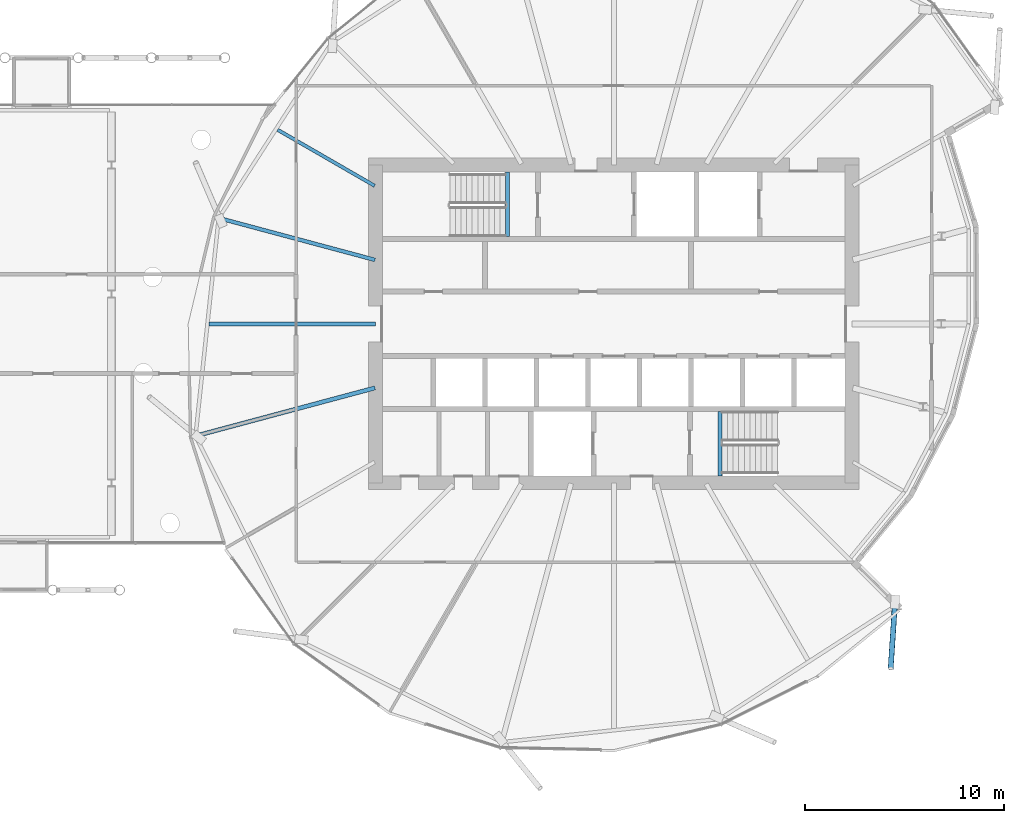
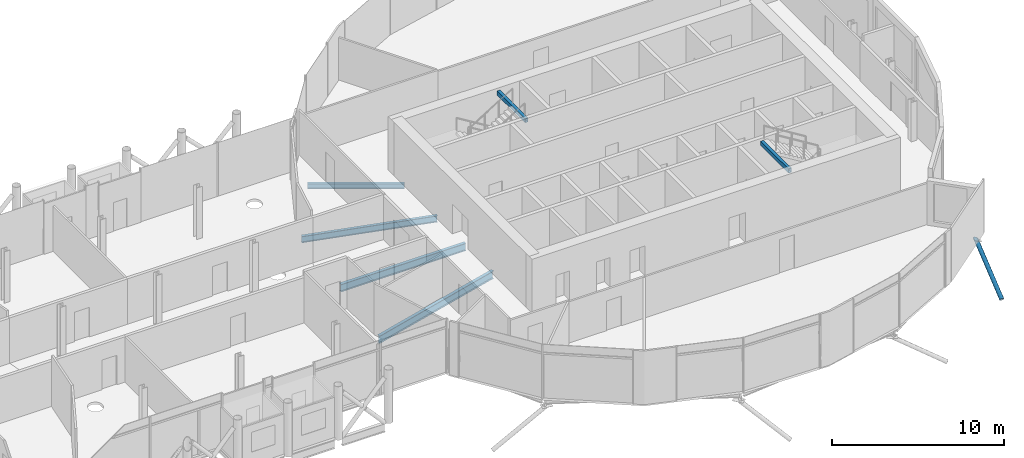
# One storey, part 14 of 39: 6 beams, 1 member.
"""IFC4 building model written with IfcOpenShell, lengths in metres."""

from ifc_helpers import new_model, si_unit, direction, frame, origin, origin_2d, place, context, subcontext, project, spatial, hollow_rectangle, hollow_circle, i_section, extrude, clip, halfspace, material, material_profile, profile_set, type_object, element, save


model = new_model("IFC4")

# Units and contexts
model_context = context("Model", 3, precision=1e-05, world=origin(), true_north=direction((0.0, 1.0)))
body_context = subcontext(model_context, "Body", "Model", "MODEL_VIEW")
ifc_project = project(units=[si_unit("LENGTHUNIT", "METRE"), si_unit("AREAUNIT", "SQUARE_METRE"), si_unit("VOLUMEUNIT", "CUBIC_METRE"), si_unit("PLANEANGLEUNIT", "RADIAN"), si_unit("MASSUNIT", "GRAM", prefix="KILO")], contexts=[model_context])

# Site, building, storey
site_placement = place(None, origin())
site = spatial("IfcSite", under=ifc_project, at=site_placement, CompositionType="ELEMENT")
building_placement = place(site_placement, origin())
building = spatial("IfcBuilding", under=site, at=building_placement, Name="Rimbun Link Towers", CompositionType="ELEMENT")
storey_placement = place(building_placement, frame((0.0, 0.0, 139.199951171875)))
storey = spatial("IfcBuildingStorey", under=building, at=storey_placement, Name="L33", CompositionType="ELEMENT", Elevation=139.199951171875)

# Member
ifc_material_1 = material(Name="Steel S355J2H", Category="steel")
ifc_material_profile_1 = material_profile(ifc_material_1, hollow_circle(Radius=0.136474609375, WallThickness=0.012451171875, at=origin_2d()), Name="CHS 273x12.5")
ifc_profile_set_1 = profile_set([ifc_material_profile_1], Name="Steel S355J2H")
member_type = type_object("IfcMemberType", Name="Floor edge link CHS 273x12.5", PredefinedType="BRACE", material=ifc_profile_set_1)
member_placement = place(storey_placement, frame((45.902099609375, -14.152099609375, -0.749267578125), z_axis=(-0.055679770072, -0.844380180972, -0.53284319756), x_axis=(0.997832918256, -0.065798687263, 0.0)))
element("IfcMember", 1, at=member_placement, inside=storey, type_object=member_type, Name="Floor edge link T2 L33 18", PredefinedType="BRACE", context=body_context, shape_type="Clipping", body=[
    clip(extrude(hollow_circle(Radius=0.136474609375, WallThickness=0.012451171875, at=origin_2d()), frame((0.0, 0.0, -0.452392578125)), (0.0, 0.0, 1.0), 4.25390625), halfspace(frame((0.0, 0.0, -0.2138671875), z_axis=(0.0, 0.846213995874, -0.53284319756)), False)),
])

# Beams
ifc_material_2 = material(Name="Steel S355J2", Category="steel")
ifc_material_profile_2 = material_profile(ifc_material_2, hollow_rectangle(XDim=0.199951171875, YDim=0.300048828125, WallThickness=0.011962890625, at=origin_2d()), Name="BOX 300x200x12")
ifc_profile_set_2 = profile_set([ifc_material_profile_2], Name="Steel S355J2")
beam_type_1 = type_object("IfcBeamType", Name="Stair trimmer beam BOX 300x200x12", PredefinedType="BEAM", material=ifc_profile_set_2)
for number, where, z_axis, x_axis, name in (
    (2, (26.39990234375, 7.64990234375, 3.469970703125), (0.0, -1.0, 0.0), (1.0, 0.0, 0.0), "L33 ST3 stair beam 1"),
    (3, (37.10009765625, -7.64990234375, 3.469970703125), (0.0, 1.0, 0.0), (-1.0, 0.0, 0.0), "L33 ST4 stair beam 1"),
):
    element("IfcBeam", number, at=place(storey_placement, frame(where, z_axis=z_axis, x_axis=x_axis)), inside=storey, type_object=beam_type_1, Name=name, PredefinedType="BEAM", context=body_context, shape_type="SweptSolid", body=[
        extrude(hollow_rectangle(XDim=0.199951171875, YDim=0.300048828125, WallThickness=0.011962890625, at=origin_2d()), origin(), (0.0, 0.0, 1.0), 3.25),
    ])
ifc_material_3 = material(Name="Steel S355J2", Category="steel")
ifc_material_profile_3 = material_profile(ifc_material_3, i_section(OverallWidth=0.17138671875, OverallDepth=0.35498046875, WebThickness=0.00732421875, FlangeThickness=0.011474609375, at=origin_2d()), Name="UB 356x171x51")
ifc_profile_set_3 = profile_set([ifc_material_profile_3], Name="Steel S355J2")
beam_type_2 = type_object("IfcBeamType", Name="UB 356x171x51", PredefinedType="BEAM", material=ifc_profile_set_3)
beam_1_placement = place(storey_placement, frame((19.706298828125, 6.95361328125, -0.357421875), z_axis=(-0.866038455972, 0.499977392266, 0.0), x_axis=(-0.499977392266, -0.866038455972, 0.0)))
element("IfcBeam", 4, at=beam_1_placement, inside=storey, type_object=beam_type_2, Name="Radial beam T2 L33 07", PredefinedType="BEAM", context=body_context, shape_type="SweptSolid", body=[
    extrude(i_section(OverallWidth=0.17138671875, OverallDepth=0.35498046875, WebThickness=0.00732421875, FlangeThickness=0.011474609375, at=origin_2d()), origin(), (0.0, 0.0, 1.0), 5.636962890625),
])
ifc_material_4 = material(Name="Steel S355J2", Category="steel")
ifc_material_profile_4 = material_profile(ifc_material_4, i_section(OverallWidth=0.18994140625, OverallDepth=0.453369140625, WebThickness=0.008544921875, FlangeThickness=0.0126953125, at=origin_2d()), Name="UB 457x191x67")
ifc_profile_set_4 = profile_set([ifc_material_profile_4], Name="Steel S355J2")
beam_type_3 = type_object("IfcBeamType", Name="UB 457x191x67", PredefinedType="BEAM", material=ifc_profile_set_4)
beam_2_placement = place(storey_placement, frame((19.724609375, 3.22216796875, -0.40673828125), z_axis=(-0.965925844811, 0.258818975978, 0.0), x_axis=(-0.258818975978, -0.965925844811, 0.0)))
element("IfcBeam", 5, at=beam_2_placement, inside=storey, type_object=beam_type_3, Name="Radial beam T2 L33 08", PredefinedType="BEAM", context=body_context, shape_type="SweptSolid", body=[
    extrude(i_section(OverallWidth=0.18994140625, OverallDepth=0.453369140625, WebThickness=0.008544921875, FlangeThickness=0.0126953125, at=origin_2d()), origin(), (0.0, 0.0, 1.0), 8.146240234375),
])
ifc_material_5 = material(Name="Steel S355J2", Category="steel")
ifc_material_profile_5 = material_profile(ifc_material_5, i_section(OverallWidth=0.209228515625, OverallDepth=0.533203125, WebThickness=0.010009765625, FlangeThickness=0.015625, at=origin_2d()), Name="UB 533x210x92")
ifc_profile_set_5 = profile_set([ifc_material_profile_5], Name="Steel S355J2")
beam_type_4 = type_object("IfcBeamType", Name="UB 533x210x92", PredefinedType="BEAM", material=ifc_profile_set_5)
beam_3_placement = place(storey_placement, frame((19.7490234375, 0.0, -0.446533203125), z_axis=(-1.0, 0.0, 0.0), x_axis=(0.0, -1.0, 0.0)))
element("IfcBeam", 6, at=beam_3_placement, inside=storey, type_object=beam_type_4, Name="Radial beam T2 L33 09", PredefinedType="BEAM", context=body_context, shape_type="SweptSolid", body=[
    extrude(i_section(OverallWidth=0.209228515625, OverallDepth=0.533203125, WebThickness=0.010009765625, FlangeThickness=0.015625, at=origin_2d()), origin(), (0.0, 0.0, 1.0), 8.3701171875),
])
beam_4_placement = place(storey_placement, frame((19.721923828125, -3.222900390625, -0.446533203125), z_axis=(-0.965927078693, -0.258814371021, 0.0), x_axis=(0.258814371021, -0.965927078693, 0.0)))
element("IfcBeam", 7, at=beam_4_placement, inside=storey, type_object=beam_type_4, Name="Radial beam T2 L33 10", PredefinedType="BEAM", context=body_context, shape_type="SweptSolid", body=[
    extrude(i_section(OverallWidth=0.209228515625, OverallDepth=0.533203125, WebThickness=0.010009765625, FlangeThickness=0.015625, at=origin_2d()), origin(), (0.0, 0.0, 1.0), 9.352783203125),
])

save(model, "model.ifc")
